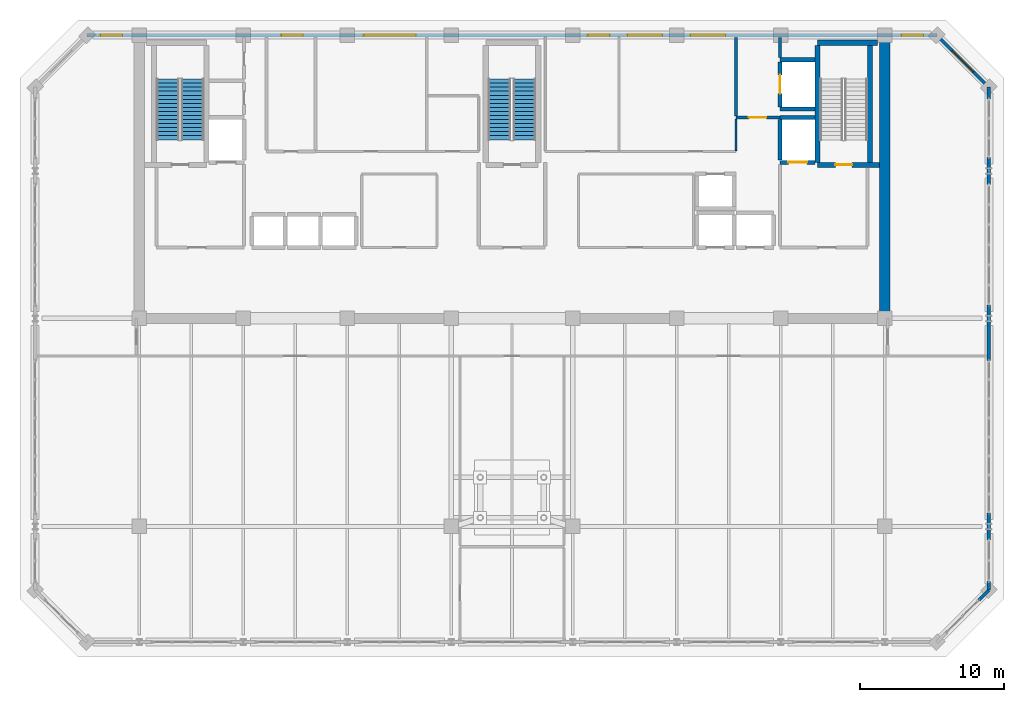
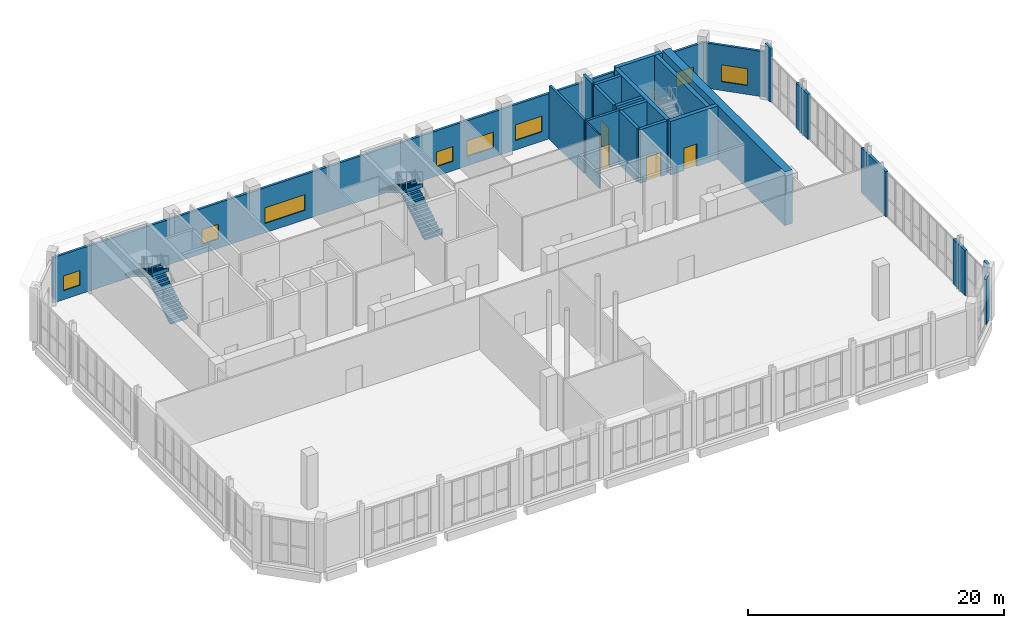
# One storey, part 22 of 26: 23 walls, 8 windows, 4 doors, 4 stair flights, 12 openings, 2 elements without a shape of their own.
"""IFC4 building model written with IfcOpenShell, lengths in metres."""

from ifc_helpers import new_model, si_unit, direction, frame, frame_2d, origin, place, context, subcontext, project, spatial, polyline, rectangle, outline, extrude, material, layer, layer_set, type_object, element, fill, aggregate, save


model = new_model("IFC4")

# Units and contexts
model_context = context("Model", 3, precision=1e-05, world=origin(), true_north=direction((0.0, 1.0)))
body_context = subcontext(model_context, "Body", "Model", "MODEL_VIEW")
ifc_project = project(units=[si_unit("LENGTHUNIT", "METRE"), si_unit("AREAUNIT", "SQUARE_METRE"), si_unit("VOLUMEUNIT", "CUBIC_METRE"), si_unit("PLANEANGLEUNIT", "RADIAN"), si_unit("MASSUNIT", "GRAM", prefix="KILO")], contexts=[model_context])

# Site, building, storey
site_placement = place(None, origin())
site = spatial("IfcSite", under=ifc_project, at=site_placement, CompositionType="ELEMENT")
building_placement = place(site_placement, origin())
building = spatial("IfcBuilding", under=site, at=building_placement, Name="Kaelvorn Grand Hotel", CompositionType="ELEMENT")
storey_placement = place(building_placement, frame((0.0, 0.0, 294.699951171875)))
storey = spatial("IfcBuildingStorey", under=building, at=storey_placement, Name="L72", CompositionType="ELEMENT", Elevation=294.699951171875)

# Walls
ifc_material_1 = material(Name="Concrete C50/60", Category="concrete")
ifc_layer_1 = layer(ifc_material_1, 0.699951171875)
ifc_layer_set_1 = layer_set([ifc_layer_1], Name="Concrete C50/60")
wall_type_1 = type_object("IfcWallType", Name="WL-CORE-700-C50", PredefinedType="SHEAR", material=ifc_layer_set_1)
wall_1_placement = place(storey_placement, frame((67.800048828125, 29.39990234375, 0.0), z_axis=(0.0, 0.0, 1.0), x_axis=(0.0, 1.0, 0.0)))
element("IfcWall", 1, at=wall_1_placement, inside=storey, type_object=wall_type_1, Name="L72 Rear-Core East Shear Wall", PredefinedType="SHEAR", context=body_context, shape_type="SweptSolid", body=[
    extrude(rectangle(XDim=19.2001953125, YDim=0.699951171875, at=frame_2d((9.60009765625, 0.0))), origin(), (0.0, 0.0, 1.0), 5.1201171875),
])
ifc_material_2 = material(Name="Concrete C40/50", Category="concrete")
ifc_layer_2 = layer(ifc_material_2, 0.219970703125)
ifc_layer_set_2 = layer_set([ifc_layer_2], Name="Concrete C40/50")
wall_type_2 = type_object("IfcWallType", Name="WL-EXT-220-C40", PredefinedType="SOLIDWALL", material=ifc_layer_set_2)
wall_2_placement = place(storey_placement, frame((74.303466796875, 9.903564453125, 0.0), z_axis=(0.0, 0.0, 1.0), x_axis=(0.707106781187, 0.707106781187, 0.0)))
element("IfcWall", 2, at=wall_2_placement, inside=storey, type_object=wall_type_2, Name="L72 Exterior Architectural Concrete Wall 02 Pier 2", PredefinedType="SOLIDWALL", context=body_context, shape_type="SweptSolid", body=[
    extrude(rectangle(XDim=0.985107421875, YDim=0.219970703125, at=frame_2d((0.49267578125, 0.0))), origin(), (0.0, 0.0, 1.0), 4.320068359375),
])
wall_3_placement = place(storey_placement, frame((75.0, 10.60009765625, 0.0), z_axis=(0.0, 0.0, 1.0), x_axis=(0.0, 1.0, 0.0)))
element("IfcWall", 3, at=wall_3_placement, inside=storey, type_object=wall_type_2, Name="L72 Exterior Architectural Concrete Wall 03 Pier 1", PredefinedType="SOLIDWALL", context=body_context, shape_type="SweptSolid", body=[
    extrude(rectangle(XDim=0.60498046875, YDim=0.219970703125, at=frame_2d((0.302490234375, 0.0))), origin(), (0.0, 0.0, 1.0), 5.1201171875),
])
wall_4_placement = place(storey_placement, frame((75.0, 14.074951171875, 0.0), z_axis=(0.0, 0.0, 1.0), x_axis=(0.0, 1.0, 0.0)))
element("IfcWall", 4, at=wall_4_placement, inside=storey, type_object=wall_type_2, Name="L72 Exterior Architectural Concrete Wall 03 Pier 2", PredefinedType="SOLIDWALL", context=body_context, shape_type="SweptSolid", body=[
    extrude(rectangle(XDim=1.85009765625, YDim=0.219970703125, at=frame_2d((0.925048828125, 0.0))), origin(), (0.0, 0.0, 1.0), 4.320068359375),
])
wall_5_placement = place(storey_placement, frame((75.0, 26.47509765625, 0.0), z_axis=(0.0, 0.0, 1.0), x_axis=(0.0, 1.0, 0.0)))
element("IfcWall", 5, at=wall_5_placement, inside=storey, type_object=wall_type_2, Name="L72 Exterior Architectural Concrete Wall 03 Pier 3", PredefinedType="SOLIDWALL", context=body_context, shape_type="SweptSolid", body=[
    extrude(rectangle(XDim=3.849853515625, YDim=0.219970703125, at=frame_2d((1.9248046875, 0.0))), origin(), (0.0, 0.0, 1.0), 4.320068359375),
])
wall_6_placement = place(storey_placement, frame((75.0, 38.675048828125, 0.0), z_axis=(0.0, 0.0, 1.0), x_axis=(0.0, 1.0, 0.0)))
element("IfcWall", 6, at=wall_6_placement, inside=storey, type_object=wall_type_2, Name="L72 Exterior Architectural Concrete Wall 03 Pier 4", PredefinedType="SOLIDWALL", context=body_context, shape_type="SweptSolid", body=[
    extrude(rectangle(XDim=1.849853515625, YDim=0.219970703125, at=frame_2d((0.9248046875, 0.0))), origin(), (0.0, 0.0, 1.0), 4.320068359375),
])
wall_7_placement = place(storey_placement, frame((75.0, 44.594970703125, 0.0), z_axis=(0.0, 0.0, 1.0), x_axis=(0.0, 1.0, 0.0)))
element("IfcWall", 7, at=wall_7_placement, inside=storey, type_object=wall_type_2, Name="L72 Exterior Architectural Concrete Wall 03 Pier 5", PredefinedType="SOLIDWALL", context=body_context, shape_type="SweptSolid", body=[
    extrude(rectangle(XDim=0.804931640625, YDim=0.219970703125, at=frame_2d((0.40234375, 0.0))), origin(), (0.0, 0.0, 1.0), 5.1201171875),
])

# Wall, opening, window
wall_8_placement = place(storey_placement, frame((75.0, 45.39990234375, 0.0), z_axis=(0.0, 0.0, 1.0), x_axis=(-0.707106781187, 0.707106781187, 0.0)))
wall_8 = element("IfcWall", 8, at=wall_8_placement, inside=storey, type_object=wall_type_2, Name="L72 Exterior Architectural Concrete Wall 04", PredefinedType="SOLIDWALL", context=body_context, shape_type="SweptSolid", body=[
    extrude(rectangle(XDim=5.09130859375, YDim=0.219970703125, at=frame_2d((2.545654296875, 0.0))), origin(), (0.0, 0.0, 1.0), 4.320068359375),
])
opening_1_placement = place(wall_8_placement, frame((1.49560546875, 0.0, 0.85009765625)))
opening_1 = element("IfcOpeningElement", 9, at=opening_1_placement, cuts=wall_8, Name="Opening W7", PredefinedType="OPENING", context=body_context, shape_type="SweptSolid", body=[
    extrude(rectangle(XDim=2.10009765625, YDim=1.60009765625, at=frame_2d((1.050048828125, 0.800048828125))), frame((0.0, 0.1201171875, 0.0), z_axis=(0.0, -1.0, 0.0), x_axis=(1.0, 0.0, 0.0)), (0.0, 0.0, 1.0), 0.239990234375),
])
ifc_material_3 = material(Name="Laminated Low-E Glass", Category="glass")
window_type_1 = type_object("IfcWindowType", Name="WIN-CHM-2100x1600", PartitioningType="SINGLE_PANEL", PredefinedType="WINDOW", material=ifc_material_3)
window_1_placement = place(opening_1_placement, origin())
window_1 = element("IfcWindow", 10, at=window_1_placement, inside=storey, type_object=window_type_1, Name="L72 Chamfered 45-Degree Corner Window NE", OverallHeight=1.60009765625, OverallWidth=2.10009765625, PartitioningType="SINGLE_PANEL", PredefinedType="WINDOW", context=body_context, shape_type="SweptSolid", body=[
    extrude(rectangle(XDim=2.10009765625, YDim=1.60009765625, at=frame_2d((1.050048828125, 0.800048828125))), frame((0.0, 0.030029296875, 0.0), z_axis=(0.0, -1.0, 0.0), x_axis=(1.0, 0.0, 0.0)), (0.0, 0.0, 1.0), 0.06005859375),
])
fill(opening_1, window_1)

# Wall, openings, windows
wall_9_placement = place(storey_placement, frame((71.39990234375, 49.0, 0.0), z_axis=(0.0, 0.0, 1.0), x_axis=(-1.0, 0.0, 0.0)))
wall_9 = element("IfcWall", 11, at=wall_9_placement, inside=storey, type_object=wall_type_2, Name="L72 Exterior Architectural Concrete Wall 05", PredefinedType="SOLIDWALL", context=body_context, shape_type="SweptSolid", body=[
    extrude(rectangle(XDim=58.7998046875, YDim=0.219970703125, at=frame_2d((29.39990234375, 0.0))), origin(), (0.0, 0.0, 1.0), 4.320068359375),
])
opening_2_placement = place(wall_9_placement, frame((56.364990234375, 0.0, 0.85009765625)))
opening_2 = element("IfcOpeningElement", 12, at=opening_2_placement, cuts=wall_9, Name="Opening W10", PredefinedType="OPENING", context=body_context, shape_type="SweptSolid", body=[
    extrude(rectangle(XDim=1.5, YDim=1.39990234375, at=frame_2d((0.75, 0.699951171875))), frame((0.0, 0.1201171875, 0.0), z_axis=(0.0, -1.0, 0.0), x_axis=(1.0, 0.0, 0.0)), (0.0, 0.0, 1.0), 0.239990234375),
])
opening_3_placement = place(wall_9_placement, frame((0.93505859375, 0.0, 0.85009765625)))
opening_3 = element("IfcOpeningElement", 13, at=opening_3_placement, cuts=wall_9, Name="Opening W10", PredefinedType="OPENING", context=body_context, shape_type="SweptSolid", body=[
    extrude(rectangle(XDim=1.5, YDim=1.39990234375, at=frame_2d((0.75, 0.699951171875))), frame((0.0, 0.1201171875, 0.0), z_axis=(0.0, -1.0, 0.0), x_axis=(1.0, 0.0, 0.0)), (0.0, 0.0, 1.0), 0.239990234375),
])
opening_4_placement = place(wall_9_placement, frame((43.864990234375, 0.0, 0.89990234375)))
opening_4 = element("IfcOpeningElement", 14, at=opening_4_placement, cuts=wall_9, Name="Opening W10", PredefinedType="OPENING", context=body_context, shape_type="SweptSolid", body=[
    extrude(rectangle(XDim=1.5, YDim=1.39990234375, at=frame_2d((0.75, 0.699951171875))), frame((0.0, 0.1201171875, 0.0), z_axis=(0.0, -1.0, 0.0), x_axis=(1.0, 0.0, 0.0)), (0.0, 0.0, 1.0), 0.239990234375),
])
opening_5_placement = place(wall_9_placement, frame((36.050048828125, 0.0, 0.89990234375)))
opening_5 = element("IfcOpeningElement", 15, at=opening_5_placement, cuts=wall_9, Name="Opening W3", PredefinedType="OPENING", context=body_context, shape_type="SweptSolid", body=[
    extrude(rectangle(XDim=3.60009765625, YDim=1.5, at=frame_2d((1.800048828125, 0.75))), frame((0.0, 0.1201171875, 0.0), z_axis=(0.0, -1.0, 0.0), x_axis=(1.0, 0.0, 0.0)), (0.0, 0.0, 1.0), 0.239990234375),
])
opening_6_placement = place(wall_9_placement, frame((22.64990234375, 0.0, 0.89990234375)))
opening_6 = element("IfcOpeningElement", 16, at=opening_6_placement, cuts=wall_9, Name="Opening W10", PredefinedType="OPENING", context=body_context, shape_type="SweptSolid", body=[
    extrude(rectangle(XDim=1.5, YDim=1.39990234375, at=frame_2d((0.75, 0.699951171875))), frame((0.0, 0.1201171875, 0.0), z_axis=(0.0, -1.0, 0.0), x_axis=(1.0, 0.0, 0.0)), (0.0, 0.0, 1.0), 0.239990234375),
])
opening_7_placement = place(wall_9_placement, frame((19.0, 0.0, 0.89990234375)))
opening_7 = element("IfcOpeningElement", 17, at=opening_7_placement, cuts=wall_9, Name="Opening W6", PredefinedType="OPENING", context=body_context, shape_type="SweptSolid", body=[
    extrude(rectangle(XDim=2.39990234375, YDim=1.5, at=frame_2d((1.199951171875, 0.75))), frame((0.0, 0.1201171875, 0.0), z_axis=(0.0, -1.0, 0.0), x_axis=(1.0, 0.0, 0.0)), (0.0, 0.0, 1.0), 0.239990234375),
])
opening_8_placement = place(wall_9_placement, frame((14.635009765625, 0.0, 0.89990234375)))
opening_8 = element("IfcOpeningElement", 18, at=opening_8_placement, cuts=wall_9, Name="Opening W6", PredefinedType="OPENING", context=body_context, shape_type="SweptSolid", body=[
    extrude(rectangle(XDim=2.39990234375, YDim=1.5, at=frame_2d((1.199951171875, 0.75))), frame((0.0, 0.1201171875, 0.0), z_axis=(0.0, -1.0, 0.0), x_axis=(1.0, 0.0, 0.0)), (0.0, 0.0, 1.0), 0.239990234375),
])
window_type_2 = type_object("IfcWindowType", Name="WIN-COR-1500x1400", PartitioningType="SINGLE_PANEL", PredefinedType="WINDOW", material=ifc_material_3)
window_2_placement = place(opening_2_placement, origin())
window_2 = element("IfcWindow", 19, at=window_2_placement, inside=storey, type_object=window_type_2, Name="L72 North Wing Ribbon Window NW01", OverallHeight=1.39990234375, OverallWidth=1.5, PartitioningType="SINGLE_PANEL", PredefinedType="WINDOW", context=body_context, shape_type="SweptSolid", body=[
    extrude(rectangle(XDim=1.5, YDim=1.39990234375, at=frame_2d((0.75, 0.699951171875))), frame((0.0, 0.030029296875, 0.0), z_axis=(0.0, -1.0, 0.0), x_axis=(1.0, 0.0, 0.0)), (0.0, 0.0, 1.0), 0.06005859375),
])
fill(opening_2, window_2)
window_3_placement = place(opening_3_placement, origin())
window_3 = element("IfcWindow", 20, at=window_3_placement, inside=storey, type_object=window_type_2, Name="L72 North Wing Ribbon Window NW02", OverallHeight=1.39990234375, OverallWidth=1.5, PartitioningType="SINGLE_PANEL", PredefinedType="WINDOW", context=body_context, shape_type="SweptSolid", body=[
    extrude(rectangle(XDim=1.5, YDim=1.39990234375, at=frame_2d((0.75, 0.699951171875))), frame((0.0, 0.030029296875, 0.0), z_axis=(0.0, -1.0, 0.0), x_axis=(1.0, 0.0, 0.0)), (0.0, 0.0, 1.0), 0.06005859375),
])
fill(opening_3, window_3)
window_4_placement = place(opening_4_placement, origin())
window_4 = element("IfcWindow", 21, at=window_4_placement, inside=storey, type_object=window_type_2, Name="L72 North Core Clerestory Ribbon Window NC03", OverallHeight=1.39990234375, OverallWidth=1.5, PartitioningType="SINGLE_PANEL", PredefinedType="WINDOW", context=body_context, shape_type="SweptSolid", body=[
    extrude(rectangle(XDim=1.5, YDim=1.39990234375, at=frame_2d((0.75, 0.699951171875))), frame((0.0, 0.030029296875, 0.0), z_axis=(0.0, -1.0, 0.0), x_axis=(1.0, 0.0, 0.0)), (0.0, 0.0, 1.0), 0.06005859375),
])
fill(opening_4, window_4)
window_5_placement = place(opening_6_placement, origin())
window_5 = element("IfcWindow", 22, at=window_5_placement, inside=storey, type_object=window_type_2, Name="L72 North Core Clerestory Ribbon Window NC05", OverallHeight=1.39990234375, OverallWidth=1.5, PartitioningType="SINGLE_PANEL", PredefinedType="WINDOW", context=body_context, shape_type="SweptSolid", body=[
    extrude(rectangle(XDim=1.5, YDim=1.39990234375, at=frame_2d((0.75, 0.699951171875))), frame((0.0, 0.030029296875, 0.0), z_axis=(0.0, -1.0, 0.0), x_axis=(1.0, 0.0, 0.0)), (0.0, 0.0, 1.0), 0.06005859375),
])
fill(opening_6, window_5)
window_type_3 = type_object("IfcWindowType", Name="WIN-NTH-2400x1500", PartitioningType="SINGLE_PANEL", PredefinedType="WINDOW", material=ifc_material_3)
window_6_placement = place(opening_7_placement, origin())
window_6 = element("IfcWindow", 23, at=window_6_placement, inside=storey, type_object=window_type_3, Name="L72 North Core Clerestory Ribbon Window NC06", OverallHeight=1.5, OverallWidth=2.39990234375, PartitioningType="SINGLE_PANEL", PredefinedType="WINDOW", context=body_context, shape_type="SweptSolid", body=[
    extrude(rectangle(XDim=2.39990234375, YDim=1.5, at=frame_2d((1.199951171875, 0.75))), frame((0.0, 0.030029296875, 0.0), z_axis=(0.0, -1.0, 0.0), x_axis=(1.0, 0.0, 0.0)), (0.0, 0.0, 1.0), 0.06005859375),
])
fill(opening_7, window_6)
window_7_placement = place(opening_8_placement, origin())
window_7 = element("IfcWindow", 24, at=window_7_placement, inside=storey, type_object=window_type_3, Name="L72 North Core Clerestory Ribbon Window NC07", OverallHeight=1.5, OverallWidth=2.39990234375, PartitioningType="SINGLE_PANEL", PredefinedType="WINDOW", context=body_context, shape_type="SweptSolid", body=[
    extrude(rectangle(XDim=2.39990234375, YDim=1.5, at=frame_2d((1.199951171875, 0.75))), frame((0.0, 0.030029296875, 0.0), z_axis=(0.0, -1.0, 0.0), x_axis=(1.0, 0.0, 0.0)), (0.0, 0.0, 1.0), 0.06005859375),
])
fill(opening_8, window_7)
window_type_4 = type_object("IfcWindowType", Name="WIN-RIB-3600x1750", PartitioningType="SINGLE_PANEL", PredefinedType="WINDOW", material=ifc_material_3)
window_8_placement = place(opening_5_placement, origin())
window_8 = element("IfcWindow", 25, at=window_8_placement, inside=storey, type_object=window_type_4, Name="L72 North Core Clerestory Ribbon Window NC04", OverallHeight=1.5, OverallWidth=3.60009765625, PartitioningType="SINGLE_PANEL", PredefinedType="WINDOW", context=body_context, shape_type="SweptSolid", body=[
    extrude(rectangle(XDim=3.60009765625, YDim=1.5, at=frame_2d((1.800048828125, 0.75))), frame((0.0, 0.030029296875, 0.0), z_axis=(0.0, -1.0, 0.0), x_axis=(1.0, 0.0, 0.0)), (0.0, 0.0, 1.0), 0.06005859375),
])
fill(opening_5, window_8)

# Wall
ifc_material_4 = material(Name="Moisture-Resistant Tile & Stud Board")
ifc_layer_3 = layer(ifc_material_4, 0.125)
ifc_layer_set_3 = layer_set([ifc_layer_3], Name="Moisture-Resistant Tile & Stud Board")
wall_type_3 = type_object("IfcWallType", Name="WL-PART-125-WET", PredefinedType="PARTITIONING", material=ifc_layer_set_3)
wall_10_placement = place(storey_placement, frame((57.5, 41.017578125, 0.0), z_axis=(0.0, 0.0, 1.0), x_axis=(0.0, 1.0, 0.0)))
element("IfcWall", 26, at=wall_10_placement, inside=storey, type_object=wall_type_3, Name="L72 Female Toilets E Partition", PredefinedType="PARTITIONING", context=body_context, shape_type="SweptSolid", body=[
    extrude(rectangle(XDim=2.16748046875, YDim=0.125, at=frame_2d((1.083740234375, 0.0))), origin(), (0.0, 0.0, 1.0), 5.1201171875),
])

# Wall, opening, door
ifc_layer_4 = layer(ifc_material_2, 0.219970703125)
ifc_layer_set_4 = layer_set([ifc_layer_4], Name="Concrete C40/50")
wall_type_4 = type_object("IfcWallType", Name="WL-PART-220-EI120", PredefinedType="PARTITIONING", material=ifc_layer_set_4)
wall_11_placement = place(storey_placement, frame((57.5, 43.300048828125, 0.0), z_axis=(0.0, 0.0, 1.0), x_axis=(1.0, 0.0, 0.0)))
wall_11 = element("IfcWall", 27, at=wall_11_placement, inside=storey, type_object=wall_type_4, Name="L72 Service Lift Lobby S Partition", PredefinedType="PARTITIONING", context=body_context, shape_type="SweptSolid", body=[
    extrude(rectangle(XDim=3.0400390625, YDim=0.219970703125, at=frame_2d((1.52001953125, 0.0))), origin(), (0.0, 0.0, 1.0), 5.1201171875),
])
opening_9_placement = place(wall_11_placement, frame((0.89990234375, 0.0, 0.0)))
opening_9 = element("IfcOpeningElement", 28, at=opening_9_placement, cuts=wall_11, Name="Opening DI2", PredefinedType="OPENING", context=body_context, shape_type="SweptSolid", body=[
    extrude(rectangle(XDim=1.199951171875, YDim=2.14990234375, at=frame_2d((0.60009765625, 1.074951171875))), frame((0.0, 0.1201171875, 0.0), z_axis=(0.0, -1.0, 0.0), x_axis=(1.0, 0.0, 0.0)), (0.0, 0.0, 1.0), 0.239990234375),
])
ifc_material_5 = material(Name="Timber Veneer Fire Leaf", Category="wood")
door_type_1 = type_object("IfcDoorType", Name="DR-INT-FFLOB-1200x2150", OperationType="NOTDEFINED", PredefinedType="DOOR", material=ifc_material_5)
door_1_placement = place(opening_9_placement, origin())
door_1 = element("IfcDoor", 29, at=door_1_placement, inside=storey, type_object=door_type_1, Name="L72 Service Lift Lobby Door", OperationType="SINGLE_SWING_RIGHT", OverallHeight=2.14990234375, OverallWidth=1.199951171875, PredefinedType="DOOR", context=body_context, shape_type="SweptSolid", body=[
    extrude(rectangle(XDim=1.199951171875, YDim=2.14990234375, at=frame_2d((0.60009765625, 1.074951171875))), frame((0.0, 0.02490234375, 0.0), z_axis=(0.0, -1.0, 0.0), x_axis=(1.0, 0.0, 0.0)), (0.0, 0.0, 1.0), 0.050048828125),
])
fill(opening_9, door_1)

# Walls
wall_12_placement = place(storey_placement, frame((57.5, 43.4150390625, 0.0), z_axis=(0.0, 0.0, 1.0), x_axis=(0.0, 1.0, 0.0)))
element("IfcWall", 30, at=wall_12_placement, inside=storey, type_object=wall_type_4, Name="L72 Service Lift Lobby W Partition", PredefinedType="PARTITIONING", context=body_context, shape_type="SweptSolid", body=[
    extrude(rectangle(XDim=5.43505859375, YDim=0.219970703125, at=frame_2d((2.717529296875, 0.0))), origin(), (0.0, 0.0, 1.0), 5.1201171875),
])
wall_13_placement = place(storey_placement, frame((60.550048828125, 47.445068359375, 0.0), z_axis=(0.0, 0.0, 1.0), x_axis=(0.0, 1.0, 0.0)))
element("IfcWall", 31, at=wall_13_placement, inside=storey, type_object=wall_type_4, Name="L72 Service Lift Lobby E Partition", PredefinedType="PARTITIONING", context=body_context, shape_type="SweptSolid", body=[
    extrude(rectangle(XDim=1.405029296875, YDim=0.219970703125, at=frame_2d((0.70263671875, 0.0))), origin(), (0.0, 0.0, 1.0), 5.1201171875),
])

# Wall, opening, door
ifc_layer_5 = layer(ifc_material_1, 0.280029296875)
ifc_layer_set_5 = layer_set([ifc_layer_5], Name="Concrete C50/60")
wall_type_5 = type_object("IfcWallType", Name="WL-SHAFT-280-C50", PredefinedType="SHEAR", material=ifc_layer_set_5)
wall_14_placement = place(storey_placement, frame((60.550048828125, 40.199951171875, 0.0), z_axis=(0.0, 0.0, 1.0), x_axis=(1.0, 0.0, 0.0)))
wall_14 = element("IfcWall", 32, at=wall_14_placement, inside=storey, type_object=wall_type_5, Name="L72 Lift FFL2 Shaft South Wall", PredefinedType="SHEAR", context=body_context, shape_type="SweptSolid", body=[
    extrude(rectangle(XDim=2.4150390625, YDim=0.280029296875, at=frame_2d((1.20751953125, 0.0))), origin(), (0.0, 0.0, 1.0), 5.1201171875),
])
opening_10_placement = place(wall_14_placement, frame((0.574951171875, 0.0, 0.0)))
opening_10 = element("IfcOpeningElement", 33, at=opening_10_placement, cuts=wall_14, Name="Opening LD-FFL2", PredefinedType="OPENING", context=body_context, shape_type="SweptSolid", body=[
    extrude(rectangle(XDim=1.300048828125, YDim=2.300048828125, at=frame_2d((0.64990234375, 1.14990234375))), frame((0.0, 0.14990234375, 0.0), z_axis=(0.0, -1.0, 0.0), x_axis=(1.0, 0.0, 0.0)), (0.0, 0.0, 1.0), 0.300048828125),
])
ifc_material_6 = material(Name="Stainless Steel", Category="steel")
door_type_2 = type_object("IfcDoorType", Name="DR-LIFT-SERV-1300x2300", OperationType="DOUBLE_DOOR_SLIDING", PredefinedType="DOOR", material=ifc_material_6)
door_2_placement = place(opening_10_placement, origin())
door_2 = element("IfcDoor", 34, at=door_2_placement, inside=storey, type_object=door_type_2, Name="L72 Lift FFL2 Sliding Landing Door LD-FFL2", OperationType="DOUBLE_DOOR_SLIDING", OverallHeight=2.300048828125, OverallWidth=1.300048828125, PredefinedType="DOOR", context=body_context, shape_type="SweptSolid", body=[
    extrude(rectangle(XDim=1.300048828125, YDim=2.300048828125, at=frame_2d((0.64990234375, 1.14990234375))), frame((0.0, 0.02490234375, 0.0), z_axis=(0.0, -1.0, 0.0), x_axis=(1.0, 0.0, 0.0)), (0.0, 0.0, 1.0), 0.050048828125),
])
fill(opening_10, door_2)

# Walls
wall_15_placement = place(storey_placement, frame((60.550048828125, 43.300048828125, 0.0), z_axis=(0.0, 0.0, 1.0), x_axis=(1.0, 0.0, 0.0)))
element("IfcWall", 35, at=wall_15_placement, inside=storey, type_object=wall_type_5, Name="L72 Lift FFL2 Shaft North Wall", PredefinedType="SHEAR", context=body_context, shape_type="SweptSolid", body=[
    extrude(rectangle(XDim=2.4150390625, YDim=0.280029296875, at=frame_2d((1.20751953125, 0.0))), origin(), (0.0, 0.0, 1.0), 5.1201171875),
])
wall_16_placement = place(storey_placement, frame((60.550048828125, 40.344970703125, 0.0), z_axis=(0.0, 0.0, 1.0), x_axis=(0.0, 1.0, 0.0)))
element("IfcWall", 36, at=wall_16_placement, inside=storey, type_object=wall_type_5, Name="L72 Lift FFL2 Shaft West Wall", PredefinedType="SHEAR", context=body_context, shape_type="SweptSolid", body=[
    extrude(rectangle(XDim=2.81005859375, YDim=0.280029296875, at=frame_2d((1.405029296875, 0.0))), origin(), (0.0, 0.0, 1.0), 5.1201171875),
])
for number, where, z_axis, x_axis, name in (
    (37, (60.550048828125, 43.89990234375, 0.0), (0.0, 0.0, 1.0), (1.0, 0.0, 0.0), "L72 Lift SV1 Shaft South Wall"),
    (38, (60.550048828125, 47.300048828125, 0.0), (0.0, 0.0, 1.0), (1.0, 0.0, 0.0), "L72 Lift SV1 Shaft North Wall"),
):
    element("IfcWall", number, at=place(storey_placement, frame(where, z_axis=z_axis, x_axis=x_axis)), inside=storey, type_object=wall_type_5, Name=name, PredefinedType="SHEAR", context=body_context, shape_type="SweptSolid", body=[
        extrude(rectangle(XDim=2.4150390625, YDim=0.280029296875, at=frame_2d((1.20751953125, 0.0))), origin(), (0.0, 0.0, 1.0), 5.1201171875),
    ])

# Wall, opening, door
wall_17_placement = place(storey_placement, frame((60.550048828125, 44.044921875, 0.0), z_axis=(0.0, 0.0, 1.0), x_axis=(0.0, 1.0, 0.0)))
wall_17 = element("IfcWall", 39, at=wall_17_placement, inside=storey, type_object=wall_type_5, Name="L72 Lift SV1 Shaft West Wall", PredefinedType="SHEAR", context=body_context, shape_type="SweptSolid", body=[
    extrude(rectangle(XDim=3.110107421875, YDim=0.280029296875, at=frame_2d((1.55517578125, 0.0))), origin(), (0.0, 0.0, 1.0), 5.1201171875),
])
opening_11_placement = place(wall_17_placement, frame((0.905029296875, 0.0, 0.0)))
opening_11 = element("IfcOpeningElement", 40, at=opening_11_placement, cuts=wall_17, Name="Opening LD-SV1", PredefinedType="OPENING", context=body_context, shape_type="SweptSolid", body=[
    extrude(rectangle(XDim=1.300048828125, YDim=2.300048828125, at=frame_2d((0.64990234375, 1.14990234375))), frame((0.0, 0.14990234375, 0.0), z_axis=(0.0, -1.0, 0.0), x_axis=(1.0, 0.0, 0.0)), (0.0, 0.0, 1.0), 0.300048828125),
])
door_3_placement = place(opening_11_placement, origin())
door_3 = element("IfcDoor", 41, at=door_3_placement, inside=storey, type_object=door_type_2, Name="L72 Lift SV1 Sliding Landing Door LD-SV1", OperationType="DOUBLE_DOOR_SLIDING", OverallHeight=2.300048828125, OverallWidth=1.300048828125, PredefinedType="DOOR", context=body_context, shape_type="SweptSolid", body=[
    extrude(rectangle(XDim=1.300048828125, YDim=2.300048828125, at=frame_2d((0.64990234375, 1.14990234375))), frame((0.0, 0.02490234375, 0.0), z_axis=(0.0, -1.0, 0.0), x_axis=(1.0, 0.0, 0.0)), (0.0, 0.0, 1.0), 0.050048828125),
])
fill(opening_11, door_3)

ifc_material_7 = material(Name="Concrete C60/75", Category="concrete")
ifc_layer_6 = layer(ifc_material_7, 0.35009765625)
ifc_layer_set_6 = layer_set([ifc_layer_6], Name="Concrete C60/75")
wall_type_6 = type_object("IfcWallType", Name="WL-SHAFT-350-C60", PredefinedType="SHEAR", material=ifc_layer_set_6)
wall_18_placement = place(storey_placement, frame((63.14501953125, 40.02490234375, 0.0), z_axis=(0.0, 0.0, 1.0), x_axis=(1.0, 0.0, 0.0)))
wall_18 = element("IfcWall", 42, at=wall_18_placement, inside=storey, type_object=wall_type_6, Name="L72 ST3 Stair Shaft South Wall", PredefinedType="SHEAR", context=body_context, shape_type="SweptSolid", body=[
    extrude(rectangle(XDim=4.300048828125, YDim=0.35009765625, at=frame_2d((2.14990234375, 0.0))), origin(), (0.0, 0.0, 1.0), 5.1201171875),
])
opening_12_placement = place(wall_18_placement, frame((1.239990234375, 0.0, 0.0)))
opening_12 = element("IfcOpeningElement", 43, at=opening_12_placement, cuts=wall_18, Name="Opening DI1", PredefinedType="OPENING", context=body_context, shape_type="SweptSolid", body=[
    extrude(rectangle(XDim=1.14990234375, YDim=2.14990234375, at=frame_2d((0.574951171875, 1.074951171875))), frame((0.0, 0.18505859375, 0.0), z_axis=(0.0, -1.0, 0.0), x_axis=(1.0, 0.0, 0.0)), (0.0, 0.0, 1.0), 0.3701171875),
])
door_type_3 = type_object("IfcDoorType", Name="DR-INT-STAIR-1150x2150", OperationType="NOTDEFINED", PredefinedType="DOOR", material=ifc_material_5)
door_4_placement = place(opening_12_placement, origin())
door_4 = element("IfcDoor", 44, at=door_4_placement, inside=storey, type_object=door_type_3, Name="L72 ST3 Exit Stair Fire Door", OperationType="SINGLE_SWING_RIGHT", OverallHeight=2.14990234375, OverallWidth=1.14990234375, PredefinedType="DOOR", context=body_context, shape_type="SweptSolid", body=[
    extrude(rectangle(XDim=1.14990234375, YDim=2.14990234375, at=frame_2d((0.574951171875, 1.074951171875))), frame((0.0, 0.02490234375, 0.0), z_axis=(0.0, -1.0, 0.0), x_axis=(1.0, 0.0, 0.0)), (0.0, 0.0, 1.0), 0.050048828125),
])
fill(opening_12, door_4)

# Walls
wall_19_placement = place(storey_placement, frame((63.14501953125, 48.47509765625, 0.0), z_axis=(0.0, 0.0, 1.0), x_axis=(1.0, 0.0, 0.0)))
element("IfcWall", 45, at=wall_19_placement, inside=storey, type_object=wall_type_6, Name="L72 ST3 Stair Shaft North Wall", PredefinedType="SHEAR", context=body_context, shape_type="SweptSolid", body=[
    extrude(rectangle(XDim=4.14990234375, YDim=0.35009765625, at=frame_2d((2.074951171875, 0.0))), origin(), (0.0, 0.0, 1.0), 5.1201171875),
])
for number, where, z_axis, x_axis, name in (
    (46, (63.14501953125, 40.205078125, 0.0), (0.0, 0.0, 1.0), (0.0, 1.0, 0.0), "L72 ST3 Stair Shaft West Wall"),
    (47, (66.77490234375, 40.205078125, 0.0), (0.0, 0.0, 1.0), (0.0, 1.0, 0.0), "L72 ST3 Stair Shaft East Wall"),
):
    element("IfcWall", number, at=place(storey_placement, frame(where, z_axis=z_axis, x_axis=x_axis)), inside=storey, type_object=wall_type_6, Name=name, PredefinedType="SHEAR", context=body_context, shape_type="SweptSolid", body=[
        extrude(rectangle(XDim=8.08984375, YDim=0.35009765625, at=frame_2d((4.044921875, 0.0))), origin(), (0.0, 0.0, 1.0), 5.1201171875),
    ])

# Stair, stair flights
stair_type = type_object("IfcStairType", Name="STR-DOG-1560-R11", PredefinedType="HALF_TURN_STAIR", material=ifc_material_2)
stair_1_placement = place(storey_placement, origin())
stair_1 = element("IfcStair", 48, at=stair_1_placement, inside=storey, type_object=stair_type, Name="L72 West Core Exit Stair ST1", PredefinedType="HALF_TURN_STAIR")
stair_flight_type = type_object("IfcStairFlightType", Name="FLG-DOG-1560-R11", PredefinedType="STRAIGHT", material=ifc_material_2)
stair_flight_1_placement = place(storey_placement, frame((19.89990234375, 41.760009765625, 0.0), z_axis=(0.0, 0.0, 1.0), x_axis=(0.0, 1.0, 0.0)))
stair_flight_1 = element("IfcStairFlight", 49, at=stair_flight_1_placement, type_object=stair_flight_type, Name="ST1 flight 1", NumberOfRisers=16, NumberOfTreads=15, PredefinedType="STRAIGHT", RiserHeight=0.171875, TreadLength=0.28, context=body_context, shape_type="SweptSolid", body=[
    extrude(outline(polyline([(-0.0048828125, 0.0), (-0.0048828125, 0.0400390625), (0.0, 0.171875), (0.280029296875, 0.171875), (0.280029296875, 0.34375), (0.56005859375, 0.34375), (0.56005859375, 0.515625), (0.840087890625, 0.515625), (0.840087890625, 0.6875), (1.1201171875, 0.6875), (1.1201171875, 0.859375), (1.39990234375, 0.859375), (1.39990234375, 1.03125), (1.679931640625, 1.03125), (1.679931640625, 1.203125), (1.9599609375, 1.203125), (1.9599609375, 1.375), (2.239990234375, 1.375), (2.239990234375, 1.546875), (2.52001953125, 1.546875), (2.52001953125, 1.71875), (2.800048828125, 1.71875), (2.800048828125, 1.890625), (3.080078125, 1.890625), (3.080078125, 2.0625), (3.360107421875, 2.0625), (3.360107421875, 2.234375), (3.639892578125, 2.234375), (3.639892578125, 2.40625), (3.919921875, 2.40625), (3.919921875, 2.578125), (4.199951171875, 2.578125), (4.199951171875, 2.75), (4.205078125, 2.75), (4.205078125, 2.40234375), (0.28662109375, 0.0), (-0.0048828125, 0.0)])), frame((0.0, 0.780029296875, 0.0), z_axis=(0.0, -1.0, 0.0), x_axis=(1.0, 0.0, 0.0)), (0.0, 0.0, 1.0), 1.56005859375),
])
stair_flight_2_placement = place(storey_placement, frame((18.179931640625, 45.9599609375, 2.75), z_axis=(0.0, 0.0, 1.0), x_axis=(0.0, -1.0, 0.0)))
stair_flight_2 = element("IfcStairFlight", 50, at=stair_flight_2_placement, type_object=stair_flight_type, Name="ST1 flight 2", NumberOfRisers=16, NumberOfTreads=15, PredefinedType="STRAIGHT", RiserHeight=0.171875, TreadLength=0.28, context=body_context, shape_type="SweptSolid", body=[
    extrude(outline(polyline([(-0.0048828125, 0.0), (-0.0048828125, 0.0400390625), (0.0, 0.171875), (0.280029296875, 0.171875), (0.280029296875, 0.34375), (0.56005859375, 0.34375), (0.56005859375, 0.515625), (0.840087890625, 0.515625), (0.840087890625, 0.6875), (1.1201171875, 0.6875), (1.1201171875, 0.859375), (1.39990234375, 0.859375), (1.39990234375, 1.03125), (1.679931640625, 1.03125), (1.679931640625, 1.203125), (1.9599609375, 1.203125), (1.9599609375, 1.375), (2.239990234375, 1.375), (2.239990234375, 1.546875), (2.52001953125, 1.546875), (2.52001953125, 1.71875), (2.800048828125, 1.71875), (2.800048828125, 1.890625), (3.080078125, 1.890625), (3.080078125, 2.0625), (3.360107421875, 2.0625), (3.360107421875, 2.234375), (3.639892578125, 2.234375), (3.639892578125, 2.40625), (3.919921875, 2.40625), (3.919921875, 2.578125), (4.199951171875, 2.578125), (4.199951171875, 2.75), (4.205078125, 2.75), (4.205078125, 2.40234375), (0.28662109375, 0.0), (-0.0048828125, 0.0)])), frame((0.0, 0.780029296875, 0.0), z_axis=(0.0, -1.0, 0.0), x_axis=(1.0, 0.0, 0.0)), (0.0, 0.0, 1.0), 1.56005859375),
])
aggregate(stair_1, [stair_flight_1, stair_flight_2])

stair_2_placement = place(storey_placement, origin())
stair_2 = element("IfcStair", 51, at=stair_2_placement, inside=storey, type_object=stair_type, Name="L72 Central Core Exit Stair ST2", PredefinedType="HALF_TURN_STAIR")
stair_flight_3_placement = place(storey_placement, frame((42.860107421875, 41.760009765625, 0.0), z_axis=(0.0, 0.0, 1.0), x_axis=(0.0, 1.0, 0.0)))
stair_flight_3 = element("IfcStairFlight", 52, at=stair_flight_3_placement, type_object=stair_flight_type, Name="ST2 flight 1", NumberOfRisers=16, NumberOfTreads=15, PredefinedType="STRAIGHT", RiserHeight=0.171875, TreadLength=0.28, context=body_context, shape_type="SweptSolid", body=[
    extrude(outline(polyline([(-0.0048828125, 0.0), (-0.0048828125, 0.0400390625), (0.0, 0.171875), (0.280029296875, 0.171875), (0.280029296875, 0.34375), (0.56005859375, 0.34375), (0.56005859375, 0.515625), (0.840087890625, 0.515625), (0.840087890625, 0.6875), (1.1201171875, 0.6875), (1.1201171875, 0.859375), (1.39990234375, 0.859375), (1.39990234375, 1.03125), (1.679931640625, 1.03125), (1.679931640625, 1.203125), (1.9599609375, 1.203125), (1.9599609375, 1.375), (2.239990234375, 1.375), (2.239990234375, 1.546875), (2.52001953125, 1.546875), (2.52001953125, 1.71875), (2.800048828125, 1.71875), (2.800048828125, 1.890625), (3.080078125, 1.890625), (3.080078125, 2.0625), (3.360107421875, 2.0625), (3.360107421875, 2.234375), (3.639892578125, 2.234375), (3.639892578125, 2.40625), (3.919921875, 2.40625), (3.919921875, 2.578125), (4.199951171875, 2.578125), (4.199951171875, 2.75), (4.205078125, 2.75), (4.205078125, 2.40234375), (0.28662109375, 0.0), (-0.0048828125, 0.0)])), frame((0.0, 0.780029296875, 0.0), z_axis=(0.0, -1.0, 0.0), x_axis=(1.0, 0.0, 0.0)), (0.0, 0.0, 1.0), 1.56005859375),
])
stair_flight_4_placement = place(storey_placement, frame((41.139892578125, 45.9599609375, 2.75), z_axis=(0.0, 0.0, 1.0), x_axis=(0.0, -1.0, 0.0)))
stair_flight_4 = element("IfcStairFlight", 53, at=stair_flight_4_placement, type_object=stair_flight_type, Name="ST2 flight 2", NumberOfRisers=16, NumberOfTreads=15, PredefinedType="STRAIGHT", RiserHeight=0.171875, TreadLength=0.28, context=body_context, shape_type="SweptSolid", body=[
    extrude(outline(polyline([(-0.0048828125, 0.0), (-0.0048828125, 0.0400390625), (0.0, 0.171875), (0.280029296875, 0.171875), (0.280029296875, 0.34375), (0.56005859375, 0.34375), (0.56005859375, 0.515625), (0.840087890625, 0.515625), (0.840087890625, 0.6875), (1.1201171875, 0.6875), (1.1201171875, 0.859375), (1.39990234375, 0.859375), (1.39990234375, 1.03125), (1.679931640625, 1.03125), (1.679931640625, 1.203125), (1.9599609375, 1.203125), (1.9599609375, 1.375), (2.239990234375, 1.375), (2.239990234375, 1.546875), (2.52001953125, 1.546875), (2.52001953125, 1.71875), (2.800048828125, 1.71875), (2.800048828125, 1.890625), (3.080078125, 1.890625), (3.080078125, 2.0625), (3.360107421875, 2.0625), (3.360107421875, 2.234375), (3.639892578125, 2.234375), (3.639892578125, 2.40625), (3.919921875, 2.40625), (3.919921875, 2.578125), (4.199951171875, 2.578125), (4.199951171875, 2.75), (4.205078125, 2.75), (4.205078125, 2.40234375), (0.28662109375, 0.0), (-0.0048828125, 0.0)])), frame((0.0, 0.780029296875, 0.0), z_axis=(0.0, -1.0, 0.0), x_axis=(1.0, 0.0, 0.0)), (0.0, 0.0, 1.0), 1.56005859375),
])
aggregate(stair_2, [stair_flight_3, stair_flight_4])

save(model, "model.ifc")
